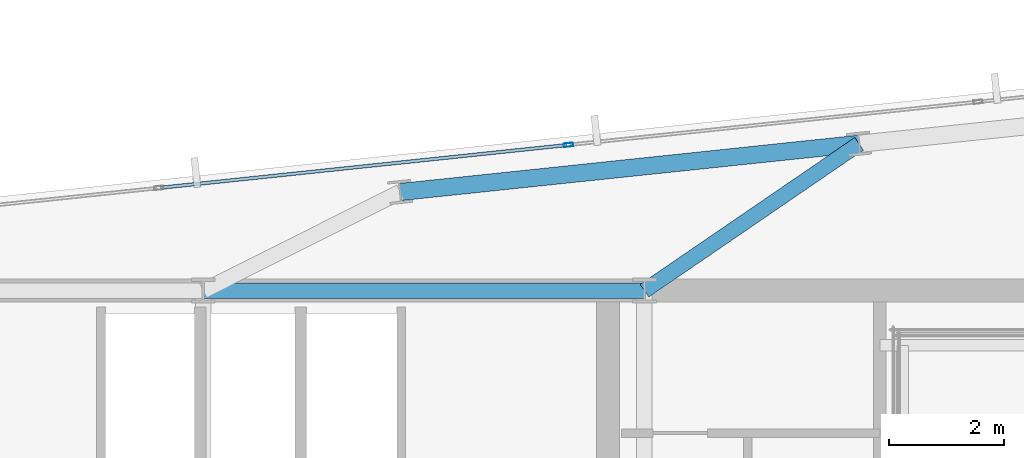
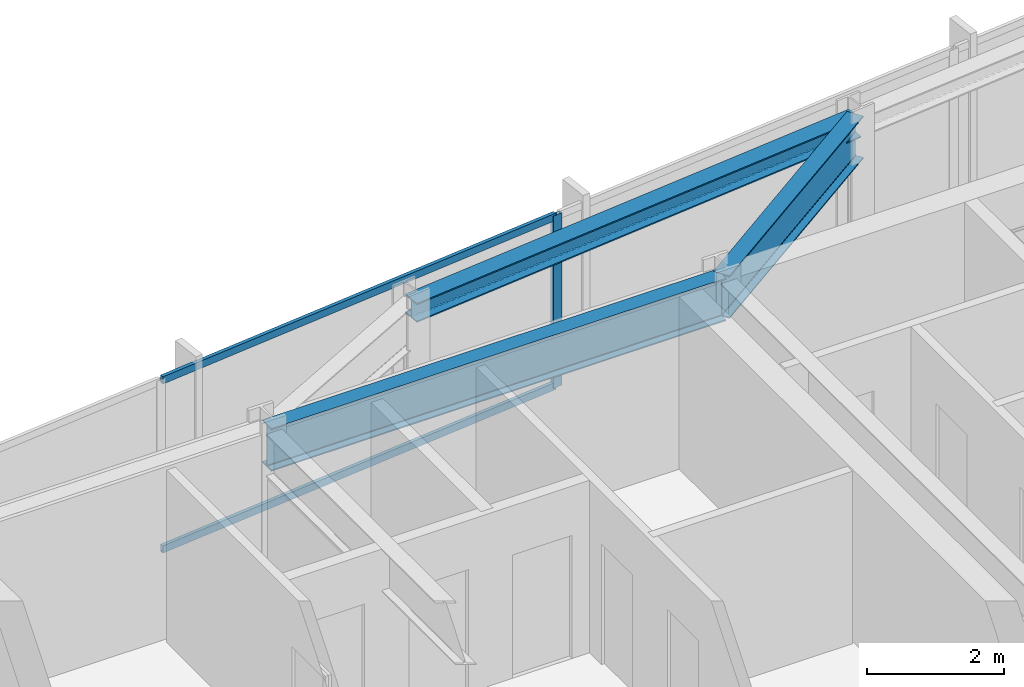
# One storey, part 22 of 32: 3 beams, 3 members, 1 element without a shape of its own.
"""IFC4 building model written with IfcOpenShell, lengths in metres."""

from ifc_helpers import new_model, si_unit, direction, frame, origin, origin_2d, place, context, subcontext, project, spatial, hollow_rectangle, i_section, extrude, material, material_profile, profile_set, type_object, element, aggregate, save


model = new_model("IFC4")

# Units and contexts
model_context = context("Model", 3, precision=1e-05, world=origin(), true_north=direction((0.0, 1.0)))
body_context = subcontext(model_context, "Body", "Model", "MODEL_VIEW")
ifc_project = project(units=[si_unit("LENGTHUNIT", "METRE"), si_unit("AREAUNIT", "SQUARE_METRE"), si_unit("VOLUMEUNIT", "CUBIC_METRE"), si_unit("PLANEANGLEUNIT", "RADIAN"), si_unit("MASSUNIT", "GRAM", prefix="KILO")], contexts=[model_context])

# Site, building, storey
site_placement = place(None, origin())
site = spatial("IfcSite", under=ifc_project, at=site_placement, CompositionType="ELEMENT")
building_placement = place(site_placement, origin())
building = spatial("IfcBuilding", under=site, at=building_placement, Name="Yelkora Congress Tower", CompositionType="ELEMENT")
storey_placement = place(building_placement, frame((0.0, 0.0, 211.10009765625)))
storey = spatial("IfcBuildingStorey", under=building, at=storey_placement, Name="L58", CompositionType="ELEMENT", Elevation=211.10009765625)

# Beams
ifc_material_1 = material(Name="Steel S355J2", Category="steel")
ifc_material_profile_1 = material_profile(ifc_material_1, i_section(OverallWidth=0.26708984375, OverallDepth=0.761962890625, WebThickness=0.014404296875, FlangeThickness=0.021484375, FilletRadius=0.01708984375, at=origin_2d()), Name="IPE 750x173")
ifc_profile_set_1 = profile_set([ifc_material_profile_1], Name="Steel S355J2")
beam_type_1 = type_object("IfcBeamType", Name="BM-GIRD-IPE750", PredefinedType="BEAM", material=ifc_profile_set_1)
beam_1_placement = place(storey_placement, frame((38.39990234375, 46.199951171875, 2.698974609375), z_axis=(1.0, 0.0, 0.0), x_axis=(0.0, 1.0, 0.0)))
element("IfcBeam", 1, at=beam_1_placement, inside=storey, type_object=beam_type_1, Name="L58 Core North Girder 4", PredefinedType="BEAM", context=body_context, shape_type="SweptSolid", body=[
    extrude(i_section(OverallWidth=0.26708984375, OverallDepth=0.761962890625, WebThickness=0.014404296875, FlangeThickness=0.021484375, FilletRadius=0.01708984375, at=origin_2d()), origin(), (0.0, 0.0, 1.0), 7.68017578125),
])
beam_2_placement = place(storey_placement, frame((49.8173828125, 48.757080078125, 2.698974609375), z_axis=(-0.825304616438, -0.564687781067, 0.0), x_axis=(0.564687781067, -0.825304616438, 0.0)))
element("IfcBeam", 2, at=beam_2_placement, inside=storey, type_object=beam_type_1, Name="L58 Primary Frame Girder N05", PredefinedType="BEAM", context=body_context, shape_type="SweptSolid", body=[
    extrude(i_section(OverallWidth=0.26708984375, OverallDepth=0.761962890625, WebThickness=0.014404296875, FlangeThickness=0.021484375, FilletRadius=0.01708984375, at=origin_2d()), origin(), (0.0, 0.0, 1.0), 4.5283203125),
])
ifc_material_profile_2 = material_profile(ifc_material_1, i_section(OverallWidth=0.300048828125, OverallDepth=0.340087890625, WebThickness=0.011962890625, FlangeThickness=0.021484375, FilletRadius=0.027099609375, at=origin_2d()), Name="HEB 340")
ifc_profile_set_2 = profile_set([ifc_material_profile_2], Name="Steel S355J2")
beam_type_2 = type_object("IfcBeamType", Name="BM-SPAN-HEB340", PredefinedType="SPANDREL", material=ifc_profile_set_2)
beam_3_placement = place(storey_placement, frame((49.8173828125, 48.757080078125, 2.909912109375), z_axis=(-0.994523256947, -0.104515507904, 0.0), x_axis=(0.104515507904, -0.994523256947, 0.0)))
element("IfcBeam", 3, at=beam_3_placement, inside=storey, type_object=beam_type_2, Name="L58 Perimeter Beam 15", PredefinedType="SPANDREL", context=body_context, shape_type="SweptSolid", body=[
    extrude(i_section(OverallWidth=0.300048828125, OverallDepth=0.340087890625, WebThickness=0.011962890625, FlangeThickness=0.021484375, FilletRadius=0.027099609375, at=origin_2d()), origin(), (0.0, 0.0, 1.0), 8.033203125),
])

# Curtain wall, members
ifc_material_2 = material(Name="Anodised aluminium and insulated glass", Category="aluminium")
curtain_wall_type = type_object("IfcCurtainWallType", Name="CW-SYS-B4", PredefinedType="NOTDEFINED", material=ifc_material_2)
curtain_wall_placement = place(storey_placement, origin())
curtain_wall = element("IfcCurtainWall", 4, at=curtain_wall_placement, inside=storey, type_object=curtain_wall_type, Name="L58 Unitised Curtain Wall 10 (3)", PredefinedType="NOTDEFINED")
ifc_material_3 = material(Name="Anodised aluminium 6063-T6", Category="aluminium")
ifc_material_profile_3 = material_profile(ifc_material_3, hollow_rectangle(XDim=0.06494140625, YDim=0.159912109375, WallThickness=0.00390625, at=origin_2d()), Name="ALU 65x160x4")
ifc_profile_set_3 = profile_set([ifc_material_profile_3], Name="Anodised aluminium 6063-T6")
member_type_1 = type_object("IfcMemberType", Name="MEM-ML-B4", PredefinedType="MULLION", material=ifc_profile_set_3)
member_1_placement = place(storey_placement, frame((44.75830078125, 48.73828125, 0.0), z_axis=(0.0, 0.0, 1.0), x_axis=(-0.104527724021, 0.994521973066, 0.0)))
member_1 = element("IfcMember", 5, at=member_1_placement, type_object=member_type_1, Name="CW-B4 mullion 4", PredefinedType="MULLION", context=body_context, shape_type="SweptSolid", body=[
    extrude(hollow_rectangle(XDim=0.06494140625, YDim=0.159912109375, WallThickness=0.00390625, at=origin_2d()), origin(), (0.0, 0.0, 1.0), 3.079833984375),
])
ifc_material_profile_4 = material_profile(ifc_material_3, hollow_rectangle(XDim=0.06005859375, YDim=0.1298828125, WallThickness=0.00390625, at=origin_2d()), Name="ALU 60x130x4")
ifc_profile_set_4 = profile_set([ifc_material_profile_4], Name="Anodised aluminium 6063-T6")
member_type_2 = type_object("IfcMemberType", Name="MEM-TR-B4", PredefinedType="USERDEFINED", material=ifc_profile_set_4)
member_2_placement = place(storey_placement, frame((37.659912109375, 47.9921875, 0.02978515625), z_axis=(0.994521633799, 0.104530951904, 0.0), x_axis=(-0.104530951904, 0.994521633799, 0.0)))
member_2 = element("IfcMember", 6, at=member_2_placement, type_object=member_type_2, Name="CW-B4 transom 3.1", ObjectType="TRANSOM", PredefinedType="USERDEFINED", context=body_context, shape_type="SweptSolid", body=[
    extrude(hollow_rectangle(XDim=0.06005859375, YDim=0.1298828125, WallThickness=0.00390625, at=origin_2d()), origin(), (0.0, 0.0, 1.0), 7.104736328125),
])
member_3_placement = place(storey_placement, frame((37.659912109375, 47.9921875, 3.0498046875), z_axis=(0.994521633799, 0.104530951904, 0.0), x_axis=(-0.104530951904, 0.994521633799, 0.0)))
member_3 = element("IfcMember", 7, at=member_3_placement, type_object=member_type_2, Name="CW-B4 transom 3.2", ObjectType="TRANSOM", PredefinedType="USERDEFINED", context=body_context, shape_type="SweptSolid", body=[
    extrude(hollow_rectangle(XDim=0.06005859375, YDim=0.1298828125, WallThickness=0.00390625, at=origin_2d()), origin(), (0.0, 0.0, 1.0), 7.104736328125),
])
aggregate(curtain_wall, [member_1, member_2, member_3])

save(model, "model.ifc")
